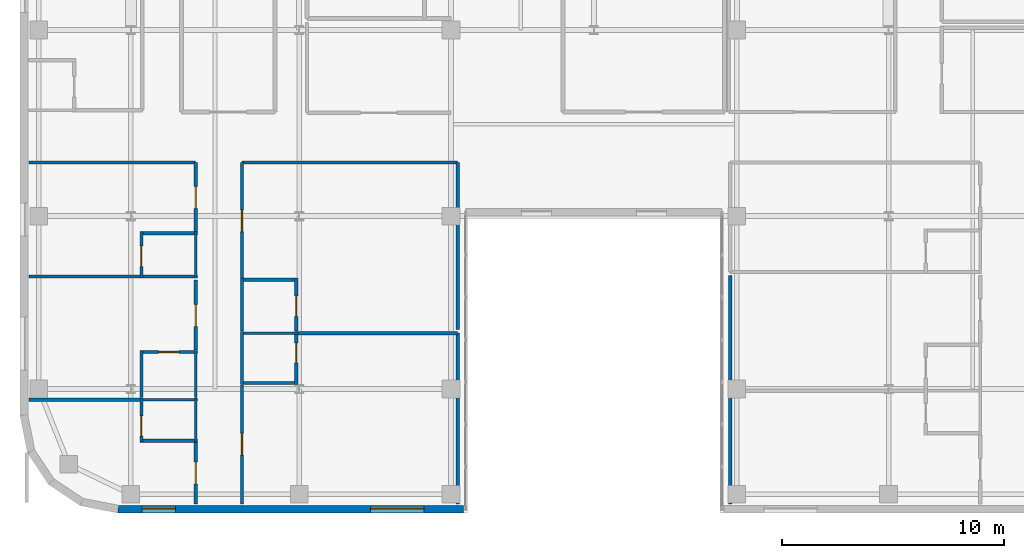
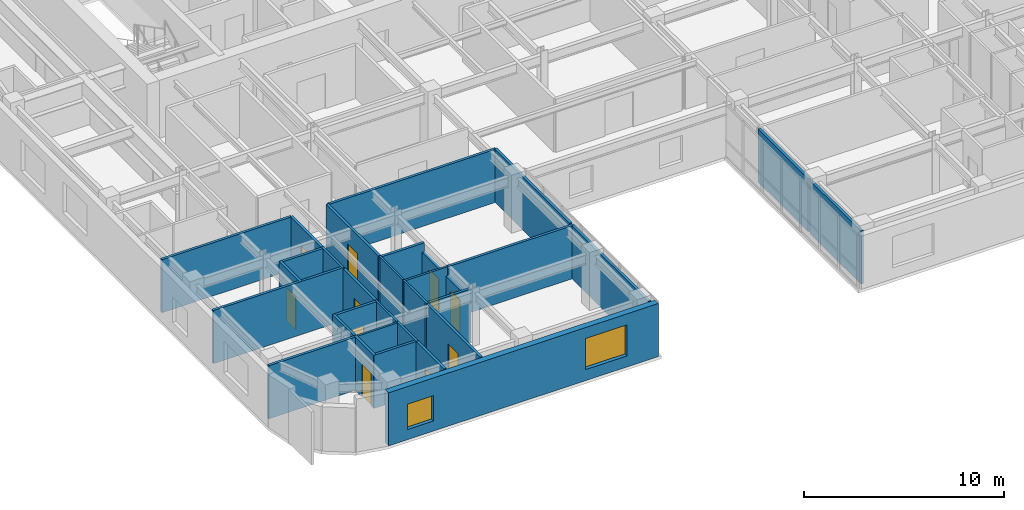
# One storey, part 7 of 14: 32 walls, 10 doors, 2 windows, 12 openings.
"""IFC4 building model written with IfcOpenShell, lengths in metres."""

from ifc_helpers import new_model, si_unit, direction, frame, frame_2d, origin, place, context, subcontext, project, spatial, rectangle, extrude, source, transform, mapped, material, layer, layer_set, type_object, type_shapes, element, fill, save


model = new_model("IFC4")

# Units and contexts
model_context = context("Model", 3, precision=1e-05, world=origin(), true_north=direction((0.0, 1.0)))
body_context = subcontext(model_context, "Body", "Model", "MODEL_VIEW")
ifc_project = project(units=[si_unit("LENGTHUNIT", "METRE"), si_unit("AREAUNIT", "SQUARE_METRE"), si_unit("VOLUMEUNIT", "CUBIC_METRE"), si_unit("PLANEANGLEUNIT", "RADIAN"), si_unit("MASSUNIT", "GRAM", prefix="KILO")], contexts=[model_context])

# Site, building, storey
site_placement = place(None, origin())
site = spatial("IfcSite", under=ifc_project, at=site_placement, CompositionType="ELEMENT")
building_placement = place(site_placement, origin())
building = spatial("IfcBuilding", under=site, at=building_placement, Name="Tolvann Quenvar Hotel", CompositionType="ELEMENT")
storey_placement = place(building_placement, frame((0.0, 0.0, 179.0)))
storey = spatial("IfcBuildingStorey", under=building, at=storey_placement, Name="L47", CompositionType="ELEMENT", Elevation=179.0)

# Wall, openings, windows
ifc_material_1 = material(Name="Kiln-fired red and buff architectural clay brickwork and terracotta masonry", Category="masonry")
ifc_layer_1 = layer(ifc_material_1, 0.35009765625)
ifc_layer_set_1 = layer_set([ifc_layer_1], Name="Kiln-fired red and buff architectural clay brickwork and terracotta masonry")
wall_type_1 = type_object("IfcWallType", Name="WALL_EXT_BRICK_350", PredefinedType="SOLIDWALL", material=ifc_layer_set_1)
wall_1_placement = place(storey_placement, frame((7.01708984375, 2.77490234375, 0.0), z_axis=(0.0, 0.0, 1.0), x_axis=(1.0, 0.0, 0.0)))
wall_1 = element("IfcWall", 1, at=wall_1_placement, inside=storey, type_object=wall_type_1, Name="Exterior Chicago Brick Wall L47-E04", PredefinedType="SOLIDWALL", context=body_context, shape_type="SweptSolid", body=[
    extrude(rectangle(XDim=15.60791015625, YDim=0.35009765625, at=frame_2d((7.803955078125, 0.0))), origin(), (0.0, 0.0, 1.0), 3.25),
])
opening_1_placement = place(wall_1_placement, frame((11.406982421875, 0.0, 0.679931640625)))
opening_1 = element("IfcOpeningElement", 2, at=opening_1_placement, cuts=wall_1, Name="Opening W-01", PredefinedType="OPENING", context=body_context, shape_type="SweptSolid", body=[
    extrude(rectangle(XDim=2.39990234375, YDim=1.89990234375, at=frame_2d((1.199951171875, 0.949951171875))), frame((0.0, 0.18505859375, 0.0), z_axis=(0.0, -1.0, 0.0), x_axis=(1.0, 0.0, 0.0)), (0.0, 0.0, 1.0), 0.3701171875),
])
opening_2_placement = place(wall_1_placement, frame((1.091064453125, 0.0, 0.6201171875)))
opening_2 = element("IfcOpeningElement", 3, at=opening_2_placement, cuts=wall_1, Name="Opening W-08", PredefinedType="OPENING", context=body_context, shape_type="SweptSolid", body=[
    extrude(rectangle(XDim=1.5, YDim=1.550048828125, at=frame_2d((0.75, 0.77490234375))), frame((0.0, 0.18505859375, 0.0), z_axis=(0.0, -1.0, 0.0), x_axis=(1.0, 0.0, 0.0)), (0.0, 0.0, 1.0), 0.3701171875),
])
ifc_material_2 = material(Name="Thermally broken bronze-anodised aluminium frame with double low-E glazing", Category="aluminium")
window_type_1 = type_object("IfcWindowType", Name="WIN_COR_1500x2050", PartitioningType="SINGLE_PANEL", PredefinedType="WINDOW", material=ifc_material_2)
shared_shape_1 = source(origin(), body_context, "Body", "SweptSolid", [
    extrude(rectangle(XDim=1.5, YDim=1.550048828125, at=frame_2d((0.75, 0.77490234375))), frame((0.0, 0.090087890625, 0.0), z_axis=(0.0, -1.0, 0.0), x_axis=(1.0, 0.0, 0.0)), (0.0, 0.0, 1.0), 0.06005859375),
])
type_shapes(window_type_1, [shared_shape_1])
window_1_placement = place(opening_2_placement, origin())
window_1 = element("IfcWindow", 4, at=window_1_placement, inside=storey, type_object=window_type_1, Name="Chicago Window W-08 (EW-L47-E04-WD02)", OverallHeight=1.550048828125, OverallWidth=1.5, PartitioningType="SINGLE_PANEL", PredefinedType="WINDOW", context=body_context, shape_type="MappedRepresentation", body=[
    mapped(shared_shape_1, transform((0.0, 0.0, 0.0), x_axis=(1.0, 0.0, 0.0), y_axis=(0.0, 1.0, 0.0), z_axis=(0.0, 0.0, 1.0), scale=1.0)),
])
fill(opening_2, window_1)
window_type_2 = type_object("IfcWindowType", Name="WIN_CHI_2400x2050", PartitioningType="TRIPLE_PANEL_HORIZONTAL", PredefinedType="WINDOW", material=ifc_material_2)
shared_shape_2 = source(origin(), body_context, "Body", "SweptSolid", [
    extrude(rectangle(XDim=2.39990234375, YDim=1.89990234375, at=frame_2d((1.199951171875, 0.949951171875))), frame((0.0, 0.090087890625, 0.0), z_axis=(0.0, -1.0, 0.0), x_axis=(1.0, 0.0, 0.0)), (0.0, 0.0, 1.0), 0.06005859375),
])
type_shapes(window_type_2, [shared_shape_2])
window_2_placement = place(opening_1_placement, origin())
window_2 = element("IfcWindow", 5, at=window_2_placement, inside=storey, type_object=window_type_2, Name="Chicago Window W-01 (EW-L47-E04-W01)", OverallHeight=1.89990234375, OverallWidth=2.39990234375, PartitioningType="TRIPLE_PANEL_HORIZONTAL", PredefinedType="WINDOW", context=body_context, shape_type="MappedRepresentation", body=[
    mapped(shared_shape_2, transform((0.0, 0.0, 0.0), x_axis=(1.0, 0.0, 0.0), y_axis=(0.0, 1.0, 0.0), z_axis=(0.0, 0.0, 1.0), scale=1.0)),
])
fill(opening_1, window_2)

# Walls
ifc_material_3 = material(Name="Moisture-resistant acoustic plumbing wall assembly")
ifc_layer_2 = layer(ifc_material_3, 0.1201171875)
ifc_layer_set_2 = layer_set([ifc_layer_2], Name="Moisture-resistant acoustic plumbing wall assembly")
wall_type_2 = type_object("IfcWallType", Name="WALL_PART_BATH_120", PredefinedType="PLUMBINGWALL", material=ifc_layer_set_2)
wall_2_placement = place(storey_placement, frame((8.010009765625, 7.719970703125, 0.0), z_axis=(0.0, 0.0, 1.0), x_axis=(1.0, 0.0, 0.0)))
element("IfcWall", 6, at=wall_2_placement, inside=storey, type_object=wall_type_2, Name="Non-Rated Plumbing Partition PT-SPC-L47-ENS-WO01-N", PredefinedType="PLUMBINGWALL", context=body_context, shape_type="SweptSolid", body=[
    extrude(rectangle(XDim=2.590087890625, YDim=0.1201171875, at=frame_2d((1.294921875, 0.0))), origin(), (0.0, 0.0, 1.0), 3.25),
])
wall_3_placement = place(storey_placement, frame((10.530029296875, 5.800048828125, 0.0), z_axis=(0.0, 0.0, 1.0), x_axis=(0.0, 1.0, 0.0)))
element("IfcWall", 7, at=wall_3_placement, inside=storey, type_object=wall_type_2, Name="Non-Rated Plumbing Partition PT-SPC-L47-ENS-WO01-E", PredefinedType="PLUMBINGWALL", context=body_context, shape_type="SweptSolid", body=[
    extrude(rectangle(XDim=1.989990234375, YDim=0.1201171875, at=frame_2d((0.9951171875, 0.0))), origin(), (0.0, 0.0, 1.0), 3.25),
])
wall_4_placement = place(storey_placement, frame((10.530029296875, 7.81005859375, 0.0), z_axis=(0.0, 0.0, 1.0), x_axis=(0.0, 1.0, 0.0)))
element("IfcWall", 8, at=wall_4_placement, inside=storey, type_object=wall_type_2, Name="Non-Rated Plumbing Partition PT-SPC-L47-ENS-WO02-E", PredefinedType="PLUMBINGWALL", context=body_context, shape_type="SweptSolid", body=[
    extrude(rectangle(XDim=2.130859375, YDim=0.1201171875, at=frame_2d((1.0654296875, 0.0))), origin(), (0.0, 0.0, 1.0), 3.25),
])
wall_5_placement = place(storey_placement, frame((10.530029296875, 13.2099609375, 0.0), z_axis=(0.0, 0.0, 1.0), x_axis=(0.0, 1.0, 0.0)))
element("IfcWall", 9, at=wall_5_placement, inside=storey, type_object=wall_type_2, Name="Non-Rated Plumbing Partition PT-SPC-L47-ENS-WO03-E", PredefinedType="PLUMBINGWALL", context=body_context, shape_type="SweptSolid", body=[
    extrude(rectangle(XDim=2.093017578125, YDim=0.1201171875, at=frame_2d((1.04638671875, 0.0))), origin(), (0.0, 0.0, 1.0), 3.25),
])
wall_6_placement = place(storey_placement, frame((12.550048828125, 10.719970703125, 0.0), z_axis=(0.0, 0.0, 1.0), x_axis=(1.0, 0.0, 0.0)))
element("IfcWall", 10, at=wall_6_placement, inside=storey, type_object=wall_type_2, Name="Non-Rated Plumbing Partition PT-SPC-L47-ENS-WI01-N", PredefinedType="PLUMBINGWALL", context=body_context, shape_type="SweptSolid", body=[
    extrude(rectangle(XDim=2.58984375, YDim=0.1201171875, at=frame_2d((1.294921875, 0.0))), origin(), (0.0, 0.0, 1.0), 3.25),
])
wall_7_placement = place(storey_placement, frame((12.6201171875, 8.39990234375, 0.0), z_axis=(0.0, 0.0, 1.0), x_axis=(0.0, 1.0, 0.0)))
element("IfcWall", 11, at=wall_7_placement, inside=storey, type_object=wall_type_2, Name="Non-Rated Plumbing Partition PT-SPC-L47-ENS-WI01-W", PredefinedType="PLUMBINGWALL", context=body_context, shape_type="SweptSolid", body=[
    extrude(rectangle(XDim=2.39013671875, YDim=0.1201171875, at=frame_2d((1.195068359375, 0.0))), origin(), (0.0, 0.0, 1.0), 3.25),
])
wall_8_placement = place(storey_placement, frame((12.6201171875, 10.81005859375, 0.0), z_axis=(0.0, 0.0, 1.0), x_axis=(0.0, 1.0, 0.0)))
element("IfcWall", 12, at=wall_8_placement, inside=storey, type_object=wall_type_2, Name="Non-Rated Plumbing Partition PT-SPC-L47-ENS-WI02-W", PredefinedType="PLUMBINGWALL", context=body_context, shape_type="SweptSolid", body=[
    extrude(rectangle(XDim=2.389892578125, YDim=0.1201171875, at=frame_2d((1.19482421875, 0.0))), origin(), (0.0, 0.0, 1.0), 3.25),
])

# Wall, opening, door
ifc_material_4 = material(Name="Acoustic twin-stud fire-rated gypsum plasterboard partition")
ifc_layer_3 = layer(ifc_material_4, 0.14990234375)
ifc_layer_set_3 = layer_set([ifc_layer_3], Name="Acoustic twin-stud fire-rated gypsum plasterboard partition")
wall_type_3 = type_object("IfcWallType", Name="WALL_PART_SUITE_150", PredefinedType="PARTITIONING", material=ifc_layer_set_3)
wall_9_placement = place(storey_placement, frame((8.080078125, 5.800048828125, 0.0), z_axis=(0.0, 0.0, 1.0), x_axis=(0.0, 1.0, 0.0)))
wall_9 = element("IfcWall", 13, at=wall_9_placement, inside=storey, type_object=wall_type_3, Name="Interior Partition PT-SPC-L47-ENS-WO01-ENT", PredefinedType="PARTITIONING", context=body_context, shape_type="SweptSolid", body=[
    extrude(rectangle(XDim=1.989990234375, YDim=0.14990234375, at=frame_2d((0.9951171875, 0.0))), origin(), (0.0, 0.0, 1.0), 3.25),
])
opening_3_placement = place(wall_9_placement, frame((0.27001953125, 0.0, 0.0)))
opening_3 = element("IfcOpeningElement", 14, at=opening_3_placement, cuts=wall_9, Name="Opening WD-01", PredefinedType="OPENING", context=body_context, shape_type="SweptSolid", body=[
    extrude(rectangle(XDim=0.919921875, YDim=2.010009765625, at=frame_2d((0.4599609375, 1.0048828125))), frame((0.0, 0.0849609375, 0.0), z_axis=(0.0, -1.0, 0.0), x_axis=(1.0, 0.0, 0.0)), (0.0, 0.0, 1.0), 0.169921875),
])
ifc_material_5 = material(Name="Solid-core American oak acoustic fire door leaf in steel frame", Category="steel")
door_type_1 = type_object("IfcDoorType", Name="DOOR_WC_920", OperationType="NOTDEFINED", PredefinedType="DOOR", material=ifc_material_5)
shared_shape_3 = source(origin(), body_context, "Body", "SweptSolid", [
    extrude(rectangle(XDim=0.919921875, YDim=2.010009765625, at=frame_2d((0.4599609375, 1.0048828125))), frame((0.0, 0.02490234375, 0.0), z_axis=(0.0, -1.0, 0.0), x_axis=(1.0, 0.0, 0.0)), (0.0, 0.0, 1.0), 0.050048828125),
])
type_shapes(door_type_1, [shared_shape_3])
door_1_placement = place(opening_3_placement, origin())
door_1 = element("IfcDoor", 15, at=door_1_placement, inside=storey, type_object=door_type_1, Name="Interior Door DOOR-SPC-L47-ENS-WO01", OperationType="SINGLE_SWING_LEFT", OverallHeight=2.010009765625, OverallWidth=0.919921875, PredefinedType="DOOR", context=body_context, shape_type="MappedRepresentation", body=[
    mapped(shared_shape_3, transform((0.0, 0.0, 0.0), x_axis=(1.0, 0.0, 0.0), y_axis=(0.0, 1.0, 0.0), z_axis=(0.0, 0.0, 1.0), scale=1.0)),
])
fill(opening_3, door_1)

# Walls
wall_10_placement = place(storey_placement, frame((8.010009765625, 5.8701171875, 0.0), z_axis=(0.0, 0.0, 1.0), x_axis=(1.0, 0.0, 0.0)))
element("IfcWall", 16, at=wall_10_placement, inside=storey, type_object=wall_type_3, Name="Interior Partition PT-SPC-L47-ENS-WO01-S", PredefinedType="PARTITIONING", context=body_context, shape_type="SweptSolid", body=[
    extrude(rectangle(XDim=2.590087890625, YDim=0.14990234375, at=frame_2d((1.294921875, 0.0))), origin(), (0.0, 0.0, 1.0), 3.25),
])
wall_11_placement = place(storey_placement, frame((8.080078125, 7.81005859375, 0.0), z_axis=(0.0, 0.0, 1.0), x_axis=(0.0, 1.0, 0.0)))
element("IfcWall", 17, at=wall_11_placement, inside=storey, type_object=wall_type_3, Name="Interior Partition PT-SPC-L47-ENS-WO02-ENT", PredefinedType="PARTITIONING", context=body_context, shape_type="SweptSolid", body=[
    extrude(rectangle(XDim=2.130859375, YDim=0.14990234375, at=frame_2d((1.0654296875, 0.0))), origin(), (0.0, 0.0, 1.0), 3.25),
])

# Wall, opening, door
wall_12_placement = place(storey_placement, frame((8.010009765625, 9.87109375, 0.0), z_axis=(0.0, 0.0, 1.0), x_axis=(1.0, 0.0, 0.0)))
wall_12 = element("IfcWall", 18, at=wall_12_placement, inside=storey, type_object=wall_type_3, Name="Interior Partition PT-SPC-L47-ENS-WO02-N", PredefinedType="PARTITIONING", context=body_context, shape_type="SweptSolid", body=[
    extrude(rectangle(XDim=2.590087890625, YDim=0.14990234375, at=frame_2d((1.294921875, 0.0))), origin(), (0.0, 0.0, 1.0), 3.25),
])
opening_4_placement = place(wall_12_placement, frame((0.8349609375, 0.0, 0.0)))
opening_4 = element("IfcOpeningElement", 19, at=opening_4_placement, cuts=wall_12, Name="Opening WD-01", PredefinedType="OPENING", context=body_context, shape_type="SweptSolid", body=[
    extrude(rectangle(XDim=0.919921875, YDim=2.010009765625, at=frame_2d((0.4599609375, 1.0048828125))), frame((0.0, 0.0849609375, 0.0), z_axis=(0.0, -1.0, 0.0), x_axis=(1.0, 0.0, 0.0)), (0.0, 0.0, 1.0), 0.169921875),
])
door_2_placement = place(opening_4_placement, origin())
door_2 = element("IfcDoor", 20, at=door_2_placement, inside=storey, type_object=door_type_1, Name="Interior Door DOOR-SPC-L47-ENS-WO02", OperationType="SINGLE_SWING_RIGHT", OverallHeight=2.010009765625, OverallWidth=0.919921875, PredefinedType="DOOR", context=body_context, shape_type="MappedRepresentation", body=[
    mapped(shared_shape_3, transform((0.0, 0.0, 0.0), x_axis=(1.0, 0.0, 0.0), y_axis=(0.0, 1.0, 0.0), z_axis=(0.0, 0.0, 1.0), scale=1.0)),
])
fill(opening_4, door_2)

wall_13_placement = place(storey_placement, frame((8.080078125, 13.2099609375, 0.0), z_axis=(0.0, 0.0, 1.0), x_axis=(0.0, 1.0, 0.0)))
wall_13 = element("IfcWall", 21, at=wall_13_placement, inside=storey, type_object=wall_type_3, Name="Interior Partition PT-SPC-L47-ENS-WO03-ENT", PredefinedType="PARTITIONING", context=body_context, shape_type="SweptSolid", body=[
    extrude(rectangle(XDim=2.093017578125, YDim=0.14990234375, at=frame_2d((1.04638671875, 0.0))), origin(), (0.0, 0.0, 1.0), 3.25),
])
opening_5_placement = place(wall_13_placement, frame((0.5166015625, 0.0, 0.0)))
opening_5 = element("IfcOpeningElement", 22, at=opening_5_placement, cuts=wall_13, Name="Opening WD-01", PredefinedType="OPENING", context=body_context, shape_type="SweptSolid", body=[
    extrude(rectangle(XDim=0.919921875, YDim=2.010009765625, at=frame_2d((0.4599609375, 1.0048828125))), frame((0.0, 0.0849609375, 0.0), z_axis=(0.0, -1.0, 0.0), x_axis=(1.0, 0.0, 0.0)), (0.0, 0.0, 1.0), 0.169921875),
])
door_3_placement = place(opening_5_placement, origin())
door_3 = element("IfcDoor", 23, at=door_3_placement, inside=storey, type_object=door_type_1, Name="Interior Door DOOR-SPC-L47-ENS-WO03", OperationType="SINGLE_SWING_LEFT", OverallHeight=2.010009765625, OverallWidth=0.919921875, PredefinedType="DOOR", context=body_context, shape_type="MappedRepresentation", body=[
    mapped(shared_shape_3, transform((0.0, 0.0, 0.0), x_axis=(1.0, 0.0, 0.0), y_axis=(0.0, 1.0, 0.0), z_axis=(0.0, 0.0, 1.0), scale=1.0)),
])
fill(opening_5, door_3)

# Walls
wall_14_placement = place(storey_placement, frame((3.0048828125, 13.280029296875, 0.0), z_axis=(0.0, 0.0, 1.0), x_axis=(1.0, 0.0, 0.0)))
element("IfcWall", 24, at=wall_14_placement, inside=storey, type_object=wall_type_3, Name="Interior Partition PT-SPC-L47-ENS-WO03-S", PredefinedType="PARTITIONING", context=body_context, shape_type="SweptSolid", body=[
    extrude(rectangle(XDim=7.59521484375, YDim=0.14990234375, at=frame_2d((3.797607421875, 0.0))), origin(), (0.0, 0.0, 1.0), 3.25),
])
wall_15_placement = place(storey_placement, frame((8.010009765625, 15.23291015625, 0.0), z_axis=(0.0, 0.0, 1.0), x_axis=(1.0, 0.0, 0.0)))
element("IfcWall", 25, at=wall_15_placement, inside=storey, type_object=wall_type_3, Name="Interior Partition PT-SPC-L47-ENS-WO03-N", PredefinedType="PARTITIONING", context=body_context, shape_type="SweptSolid", body=[
    extrude(rectangle(XDim=2.590087890625, YDim=0.14990234375, at=frame_2d((1.294921875, 0.0))), origin(), (0.0, 0.0, 1.0), 3.25),
])

# Wall, opening, door
wall_16_placement = place(storey_placement, frame((15.070068359375, 8.39990234375, 0.0), z_axis=(0.0, 0.0, 1.0), x_axis=(0.0, 1.0, 0.0)))
wall_16 = element("IfcWall", 26, at=wall_16_placement, inside=storey, type_object=wall_type_3, Name="Interior Partition PT-SPC-L47-ENS-WI01-ENT", PredefinedType="PARTITIONING", context=body_context, shape_type="SweptSolid", body=[
    extrude(rectangle(XDim=2.39013671875, YDim=0.14990234375, at=frame_2d((1.195068359375, 0.0))), origin(), (0.0, 0.0, 1.0), 2.70703125),
])
opening_6_placement = place(wall_16_placement, frame((0.965087890625, 0.0, 0.0)))
opening_6 = element("IfcOpeningElement", 27, at=opening_6_placement, cuts=wall_16, Name="Opening WD-01", PredefinedType="OPENING", context=body_context, shape_type="SweptSolid", body=[
    extrude(rectangle(XDim=0.919921875, YDim=2.010009765625, at=frame_2d((0.4599609375, 1.0048828125))), frame((0.0, 0.0849609375, 0.0), z_axis=(0.0, -1.0, 0.0), x_axis=(1.0, 0.0, 0.0)), (0.0, 0.0, 1.0), 0.169921875),
])
door_4_placement = place(opening_6_placement, origin())
door_4 = element("IfcDoor", 28, at=door_4_placement, inside=storey, type_object=door_type_1, Name="Interior Door DOOR-SPC-L47-ENS-WI01", OperationType="SINGLE_SWING_RIGHT", OverallHeight=2.010009765625, OverallWidth=0.919921875, PredefinedType="DOOR", context=body_context, shape_type="MappedRepresentation", body=[
    mapped(shared_shape_3, transform((0.0, 0.0, 0.0), x_axis=(1.0, 0.0, 0.0), y_axis=(0.0, 1.0, 0.0), z_axis=(0.0, 0.0, 1.0), scale=1.0)),
])
fill(opening_6, door_4)

# Wall
wall_17_placement = place(storey_placement, frame((12.550048828125, 8.469970703125, 0.0), z_axis=(0.0, 0.0, 1.0), x_axis=(1.0, 0.0, 0.0)))
element("IfcWall", 29, at=wall_17_placement, inside=storey, type_object=wall_type_3, Name="Interior Partition PT-SPC-L47-ENS-WI01-S", PredefinedType="PARTITIONING", context=body_context, shape_type="SweptSolid", body=[
    extrude(rectangle(XDim=2.58984375, YDim=0.14990234375, at=frame_2d((1.294921875, 0.0))), origin(), (0.0, 0.0, 1.0), 3.25),
])

# Wall, opening, door
wall_18_placement = place(storey_placement, frame((15.070068359375, 10.81005859375, 0.0), z_axis=(0.0, 0.0, 1.0), x_axis=(0.0, 1.0, 0.0)))
wall_18 = element("IfcWall", 30, at=wall_18_placement, inside=storey, type_object=wall_type_3, Name="Interior Partition PT-SPC-L47-ENS-WI02-ENT", PredefinedType="PARTITIONING", context=body_context, shape_type="SweptSolid", body=[
    extrude(rectangle(XDim=2.389892578125, YDim=0.14990234375, at=frame_2d((1.19482421875, 0.0))), origin(), (0.0, 0.0, 1.0), 2.70703125),
])
opening_7_placement = place(wall_18_placement, frame((0.6650390625, 0.0, 0.0)))
opening_7 = element("IfcOpeningElement", 31, at=opening_7_placement, cuts=wall_18, Name="Opening WD-01", PredefinedType="OPENING", context=body_context, shape_type="SweptSolid", body=[
    extrude(rectangle(XDim=0.919921875, YDim=2.010009765625, at=frame_2d((0.4599609375, 1.0048828125))), frame((0.0, 0.0849609375, 0.0), z_axis=(0.0, -1.0, 0.0), x_axis=(1.0, 0.0, 0.0)), (0.0, 0.0, 1.0), 0.169921875),
])
door_5_placement = place(opening_7_placement, origin())
door_5 = element("IfcDoor", 32, at=door_5_placement, inside=storey, type_object=door_type_1, Name="Interior Door DOOR-SPC-L47-ENS-WI02", OperationType="SINGLE_SWING_LEFT", OverallHeight=2.010009765625, OverallWidth=0.919921875, PredefinedType="DOOR", context=body_context, shape_type="MappedRepresentation", body=[
    mapped(shared_shape_3, transform((0.0, 0.0, 0.0), x_axis=(1.0, 0.0, 0.0), y_axis=(0.0, 1.0, 0.0), z_axis=(0.0, 0.0, 1.0), scale=1.0)),
])
fill(opening_7, door_5)

# Wall
wall_19_placement = place(storey_placement, frame((12.550048828125, 13.1298828125, 0.0), z_axis=(0.0, 0.0, 1.0), x_axis=(1.0, 0.0, 0.0)))
element("IfcWall", 33, at=wall_19_placement, inside=storey, type_object=wall_type_3, Name="Interior Partition PT-SPC-L47-ENS-WI02-N", PredefinedType="PARTITIONING", context=body_context, shape_type="SweptSolid", body=[
    extrude(rectangle(XDim=2.58984375, YDim=0.14990234375, at=frame_2d((1.294921875, 0.0))), origin(), (0.0, 0.0, 1.0), 3.25),
])

# Wall, opening, door
wall_20_placement = place(storey_placement, frame((10.530029296875, 3.0048828125, 0.0), z_axis=(0.0, 0.0, 1.0), x_axis=(0.0, 1.0, 0.0)))
wall_20 = element("IfcWall", 34, at=wall_20_placement, inside=storey, type_object=wall_type_3, Name="Interior Partition PT-SPC-L47-RM-WO01-ENT", PredefinedType="PARTITIONING", context=body_context, shape_type="SweptSolid", body=[
    extrude(rectangle(XDim=2.78515625, YDim=0.14990234375, at=frame_2d((1.392578125, 0.0))), origin(), (0.0, 0.0, 1.0), 3.25),
])
opening_8_placement = place(wall_20_placement, frame((0.909912109375, 0.0, 0.0)))
opening_8 = element("IfcOpeningElement", 35, at=opening_8_placement, cuts=wall_20, Name="Opening SD-01", PredefinedType="OPENING", context=body_context, shape_type="SweptSolid", body=[
    extrude(rectangle(XDim=0.97998046875, YDim=2.1201171875, at=frame_2d((0.489990234375, 1.06005859375))), frame((0.0, 0.0849609375, 0.0), z_axis=(0.0, -1.0, 0.0), x_axis=(1.0, 0.0, 0.0)), (0.0, 0.0, 1.0), 0.169921875),
])
door_type_2 = type_object("IfcDoorType", Name="DOOR_SUITE_980", OperationType="NOTDEFINED", PredefinedType="DOOR", material=ifc_material_5)
shared_shape_4 = source(origin(), body_context, "Body", "SweptSolid", [
    extrude(rectangle(XDim=0.97998046875, YDim=2.1201171875, at=frame_2d((0.489990234375, 1.06005859375))), frame((0.0, 0.02490234375, 0.0), z_axis=(0.0, -1.0, 0.0), x_axis=(1.0, 0.0, 0.0)), (0.0, 0.0, 1.0), 0.050048828125),
])
type_shapes(door_type_2, [shared_shape_4])
door_6_placement = place(opening_8_placement, origin())
door_6 = element("IfcDoor", 36, at=door_6_placement, inside=storey, type_object=door_type_2, Name="Interior Door DOOR-SPC-L47-RM-WO01", OperationType="SINGLE_SWING_RIGHT", OverallHeight=2.1201171875, OverallWidth=0.97998046875, PredefinedType="DOOR", context=body_context, shape_type="MappedRepresentation", body=[
    mapped(shared_shape_4, transform((0.0, 0.0, 0.0), x_axis=(1.0, 0.0, 0.0), y_axis=(0.0, 1.0, 0.0), z_axis=(0.0, 0.0, 1.0), scale=1.0)),
])
fill(opening_8, door_6)

# Wall
wall_21_placement = place(storey_placement, frame((3.0048828125, 7.719970703125, 0.0), z_axis=(0.0, 0.0, 1.0), x_axis=(1.0, 0.0, 0.0)))
element("IfcWall", 37, at=wall_21_placement, inside=storey, type_object=wall_type_3, Name="Interior Partition PT-SPC-L47-RM-WO01-E5", PredefinedType="PARTITIONING", context=body_context, shape_type="SweptSolid", body=[
    extrude(rectangle(XDim=5.05517578125, YDim=0.14990234375, at=frame_2d((2.527587890625, 0.0))), origin(), (0.0, 0.0, 1.0), 3.25),
])

# Wall, opening, door
wall_22_placement = place(storey_placement, frame((10.530029296875, 9.950927734375, 0.0), z_axis=(0.0, 0.0, 1.0), x_axis=(0.0, 1.0, 0.0)))
wall_22 = element("IfcWall", 38, at=wall_22_placement, inside=storey, type_object=wall_type_3, Name="Interior Partition PT-SPC-L47-RM-WO02-ENT", PredefinedType="PARTITIONING", context=body_context, shape_type="SweptSolid", body=[
    extrude(rectangle(XDim=3.169189453125, YDim=0.14990234375, at=frame_2d((1.58447265625, 0.0))), origin(), (0.0, 0.0, 1.0), 3.25),
])
opening_9_placement = place(wall_22_placement, frame((1.074462890625, 0.0, 0.0)))
opening_9 = element("IfcOpeningElement", 39, at=opening_9_placement, cuts=wall_22, Name="Opening SD-01", PredefinedType="OPENING", context=body_context, shape_type="SweptSolid", body=[
    extrude(rectangle(XDim=0.97998046875, YDim=2.1201171875, at=frame_2d((0.489990234375, 1.06005859375))), frame((0.0, 0.0849609375, 0.0), z_axis=(0.0, -1.0, 0.0), x_axis=(1.0, 0.0, 0.0)), (0.0, 0.0, 1.0), 0.169921875),
])
door_7_placement = place(opening_9_placement, origin())
door_7 = element("IfcDoor", 40, at=door_7_placement, inside=storey, type_object=door_type_2, Name="Interior Door DOOR-SPC-L47-RM-WO02", OperationType="SINGLE_SWING_LEFT", OverallHeight=2.1201171875, OverallWidth=0.97998046875, PredefinedType="DOOR", context=body_context, shape_type="MappedRepresentation", body=[
    mapped(shared_shape_4, transform((0.0, 0.0, 0.0), x_axis=(1.0, 0.0, 0.0), y_axis=(0.0, 1.0, 0.0), z_axis=(0.0, 0.0, 1.0), scale=1.0)),
])
fill(opening_9, door_7)

wall_23_placement = place(storey_placement, frame((10.530029296875, 15.31298828125, 0.0), z_axis=(0.0, 0.0, 1.0), x_axis=(0.0, 1.0, 0.0)))
wall_23 = element("IfcWall", 41, at=wall_23_placement, inside=storey, type_object=wall_type_3, Name="Interior Partition PT-SPC-L47-RM-WO03-ENT", PredefinedType="PARTITIONING", context=body_context, shape_type="SweptSolid", body=[
    extrude(rectangle(XDim=3.10693359375, YDim=0.14990234375, at=frame_2d((1.553466796875, 0.0))), origin(), (0.0, 0.0, 1.0), 3.25),
])
opening_10_placement = place(wall_23_placement, frame((1.04345703125, 0.0, 0.0)))
opening_10 = element("IfcOpeningElement", 42, at=opening_10_placement, cuts=wall_23, Name="Opening SD-01", PredefinedType="OPENING", context=body_context, shape_type="SweptSolid", body=[
    extrude(rectangle(XDim=0.97998046875, YDim=2.1201171875, at=frame_2d((0.489990234375, 1.06005859375))), frame((0.0, 0.0849609375, 0.0), z_axis=(0.0, -1.0, 0.0), x_axis=(1.0, 0.0, 0.0)), (0.0, 0.0, 1.0), 0.169921875),
])
door_8_placement = place(opening_10_placement, origin())
door_8 = element("IfcDoor", 43, at=door_8_placement, inside=storey, type_object=door_type_2, Name="Interior Door DOOR-SPC-L47-RM-WO03", OperationType="SINGLE_SWING_RIGHT", OverallHeight=2.1201171875, OverallWidth=0.97998046875, PredefinedType="DOOR", context=body_context, shape_type="MappedRepresentation", body=[
    mapped(shared_shape_4, transform((0.0, 0.0, 0.0), x_axis=(1.0, 0.0, 0.0), y_axis=(0.0, 1.0, 0.0), z_axis=(0.0, 0.0, 1.0), scale=1.0)),
])
fill(opening_10, door_8)

# Wall
wall_24_placement = place(storey_placement, frame((3.0048828125, 18.419921875, 0.0), z_axis=(0.0, 0.0, 1.0), x_axis=(1.0, 0.0, 0.0)))
element("IfcWall", 44, at=wall_24_placement, inside=storey, type_object=wall_type_3, Name="Interior Partition PT-SPC-L47-RM-WO03-E5", PredefinedType="PARTITIONING", context=body_context, shape_type="SweptSolid", body=[
    extrude(rectangle(XDim=7.525146484375, YDim=0.14990234375, at=frame_2d((3.7626953125, 0.0))), origin(), (0.0, 0.0, 1.0), 3.25),
])

# Wall, opening, door
wall_25_placement = place(storey_placement, frame((12.6201171875, 3.0048828125, 0.0), z_axis=(0.0, 0.0, 1.0), x_axis=(0.0, 1.0, 0.0)))
wall_25 = element("IfcWall", 45, at=wall_25_placement, inside=storey, type_object=wall_type_3, Name="Interior Partition PT-SPC-L47-RM-WI01-ENT", PredefinedType="PARTITIONING", context=body_context, shape_type="SweptSolid", body=[
    extrude(rectangle(XDim=5.385009765625, YDim=0.14990234375, at=frame_2d((2.6923828125, 0.0))), origin(), (0.0, 0.0, 1.0), 3.25),
])
opening_11_placement = place(wall_25_placement, frame((2.2099609375, 0.0, 0.0)))
opening_11 = element("IfcOpeningElement", 46, at=opening_11_placement, cuts=wall_25, Name="Opening SD-01", PredefinedType="OPENING", context=body_context, shape_type="SweptSolid", body=[
    extrude(rectangle(XDim=0.97998046875, YDim=2.1201171875, at=frame_2d((0.489990234375, 1.06005859375))), frame((0.0, 0.0849609375, 0.0), z_axis=(0.0, -1.0, 0.0), x_axis=(1.0, 0.0, 0.0)), (0.0, 0.0, 1.0), 0.169921875),
])
door_9_placement = place(opening_11_placement, origin())
door_9 = element("IfcDoor", 47, at=door_9_placement, inside=storey, type_object=door_type_2, Name="Interior Door DOOR-SPC-L47-RM-WI01", OperationType="SINGLE_SWING_LEFT", OverallHeight=2.1201171875, OverallWidth=0.97998046875, PredefinedType="DOOR", context=body_context, shape_type="MappedRepresentation", body=[
    mapped(shared_shape_4, transform((0.0, 0.0, 0.0), x_axis=(1.0, 0.0, 0.0), y_axis=(0.0, 1.0, 0.0), z_axis=(0.0, 0.0, 1.0), scale=1.0)),
])
fill(opening_11, door_9)

# Walls
wall_26_placement = place(storey_placement, frame((22.35009765625, 3.0048828125, 0.0), z_axis=(0.0, 0.0, 1.0), x_axis=(0.0, 1.0, 0.0)))
element("IfcWall", 48, at=wall_26_placement, inside=storey, type_object=wall_type_3, Name="Interior Partition PT-SPC-L47-RM-WI01-E2", PredefinedType="PARTITIONING", context=body_context, shape_type="SweptSolid", body=[
    extrude(rectangle(XDim=7.715087890625, YDim=0.14990234375, at=frame_2d((3.857421875, 0.0))), origin(), (0.0, 0.0, 1.0), 3.25),
])
wall_27_placement = place(storey_placement, frame((15.090087890625, 10.719970703125, 0.0), z_axis=(0.0, 0.0, 1.0), x_axis=(1.0, 0.0, 0.0)))
element("IfcWall", 49, at=wall_27_placement, inside=storey, type_object=wall_type_3, Name="Interior Partition PT-SPC-L47-RM-WI01-E3", PredefinedType="PARTITIONING", context=body_context, shape_type="SweptSolid", body=[
    extrude(rectangle(XDim=7.260009765625, YDim=0.14990234375, at=frame_2d((3.6298828125, 0.0))), origin(), (0.0, 0.0, 1.0), 3.25),
])

# Wall, opening, door
wall_28_placement = place(storey_placement, frame((12.6201171875, 13.2099609375, 0.0), z_axis=(0.0, 0.0, 1.0), x_axis=(0.0, 1.0, 0.0)))
wall_28 = element("IfcWall", 50, at=wall_28_placement, inside=storey, type_object=wall_type_3, Name="Interior Partition PT-SPC-L47-RM-WI02-ENT", PredefinedType="PARTITIONING", context=body_context, shape_type="SweptSolid", body=[
    extrude(rectangle(XDim=5.2099609375, YDim=0.14990234375, at=frame_2d((2.60498046875, 0.0))), origin(), (0.0, 0.0, 1.0), 3.25),
])
opening_12_placement = place(wall_28_placement, frame((2.094970703125, 0.0, 0.0)))
opening_12 = element("IfcOpeningElement", 51, at=opening_12_placement, cuts=wall_28, Name="Opening SD-01", PredefinedType="OPENING", context=body_context, shape_type="SweptSolid", body=[
    extrude(rectangle(XDim=0.97998046875, YDim=2.1201171875, at=frame_2d((0.489990234375, 1.06005859375))), frame((0.0, 0.0849609375, 0.0), z_axis=(0.0, -1.0, 0.0), x_axis=(1.0, 0.0, 0.0)), (0.0, 0.0, 1.0), 0.169921875),
])
door_10_placement = place(opening_12_placement, origin())
door_10 = element("IfcDoor", 52, at=door_10_placement, inside=storey, type_object=door_type_2, Name="Interior Door DOOR-SPC-L47-RM-WI02", OperationType="SINGLE_SWING_RIGHT", OverallHeight=2.1201171875, OverallWidth=0.97998046875, PredefinedType="DOOR", context=body_context, shape_type="MappedRepresentation", body=[
    mapped(shared_shape_4, transform((0.0, 0.0, 0.0), x_axis=(1.0, 0.0, 0.0), y_axis=(0.0, 1.0, 0.0), z_axis=(0.0, 0.0, 1.0), scale=1.0)),
])
fill(opening_12, door_10)

# Walls
wall_29_placement = place(storey_placement, frame((22.35009765625, 10.8798828125, 0.0), z_axis=(0.0, 0.0, 1.0), x_axis=(0.0, 1.0, 0.0)))
element("IfcWall", 53, at=wall_29_placement, inside=storey, type_object=wall_type_3, Name="Interior Partition PT-SPC-L47-RM-WI02-E4", PredefinedType="PARTITIONING", context=body_context, shape_type="SweptSolid", body=[
    extrude(rectangle(XDim=7.5400390625, YDim=0.14990234375, at=frame_2d((3.77001953125, 0.0))), origin(), (0.0, 0.0, 1.0), 3.25),
])
wall_30_placement = place(storey_placement, frame((12.6201171875, 18.419921875, 0.0), z_axis=(0.0, 0.0, 1.0), x_axis=(1.0, 0.0, 0.0)))
element("IfcWall", 54, at=wall_30_placement, inside=storey, type_object=wall_type_3, Name="Interior Partition PT-SPC-L47-RM-WI02-E5", PredefinedType="PARTITIONING", context=body_context, shape_type="SweptSolid", body=[
    extrude(rectangle(XDim=9.72998046875, YDim=0.14990234375, at=frame_2d((4.864990234375, 0.0))), origin(), (0.0, 0.0, 1.0), 3.25),
])
wall_31_placement = place(storey_placement, frame((34.64990234375, 3.0048828125, 0.0), z_axis=(0.0, 0.0, 1.0), x_axis=(0.0, 1.0, 0.0)))
element("IfcWall", 55, at=wall_31_placement, inside=storey, type_object=wall_type_3, Name="Interior Partition PT-SPC-L47-RM-EI01-E6", PredefinedType="PARTITIONING", context=body_context, shape_type="SweptSolid", body=[
    extrude(rectangle(XDim=5.115234375, YDim=0.14990234375, at=frame_2d((2.5576171875, 0.0))), origin(), (0.0, 0.0, 1.0), 3.25),
])
wall_32_placement = place(storey_placement, frame((34.64990234375, 8.280029296875, 0.0), z_axis=(0.0, 0.0, 1.0), x_axis=(0.0, 1.0, 0.0)))
element("IfcWall", 56, at=wall_32_placement, inside=storey, type_object=wall_type_3, Name="Interior Partition PT-SPC-L47-RM-EI02-E6", PredefinedType="PARTITIONING", context=body_context, shape_type="SweptSolid", body=[
    extrude(rectangle(XDim=5.0400390625, YDim=0.14990234375, at=frame_2d((2.52001953125, 0.0))), origin(), (0.0, 0.0, 1.0), 3.25),
])

save(model, "model.ifc")
